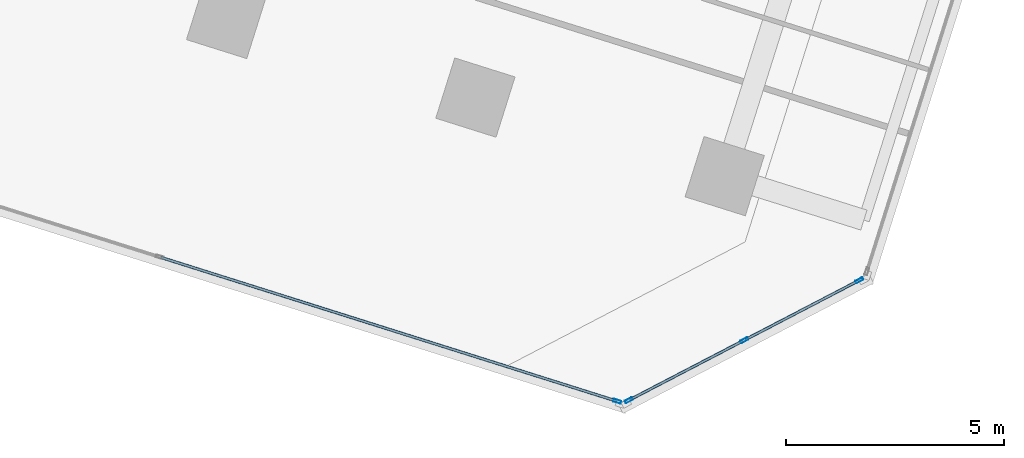
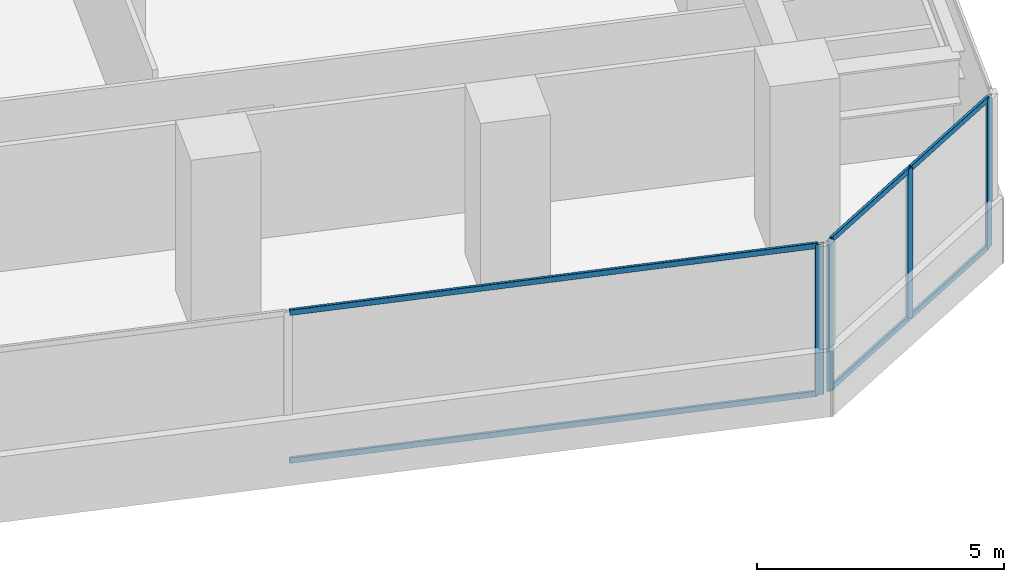
# One storey, part 8 of 28: 10 members, 2 elements without a shape of their own.
"""IFC4 building model written with IfcOpenShell, lengths in metres."""

from ifc_helpers import new_model, si_unit, direction, frame, origin, origin_2d, place, context, subcontext, project, spatial, hollow_rectangle, extrude, source, transform, mapped, material, material_profile, profile_set, type_object, element, aggregate, save


model = new_model("IFC4")

# Units and contexts
model_context = context("Model", 3, precision=1e-05, world=origin(), true_north=direction((0.0, 1.0)))
body_context = subcontext(model_context, "Body", "Model", "MODEL_VIEW")
ifc_project = project(units=[si_unit("LENGTHUNIT", "METRE"), si_unit("AREAUNIT", "SQUARE_METRE"), si_unit("VOLUMEUNIT", "CUBIC_METRE"), si_unit("PLANEANGLEUNIT", "RADIAN"), si_unit("MASSUNIT", "GRAM", prefix="KILO")], contexts=[model_context])

# Site, building, storey
site_placement = place(None, origin())
site = spatial("IfcSite", under=ifc_project, at=site_placement, CompositionType="ELEMENT")
building_placement = place(site_placement, origin())
building = spatial("IfcBuilding", under=site, at=building_placement, Name="Torre Montelarca", CompositionType="ELEMENT")
storey_placement = place(building_placement, frame((0.0, 0.0, 112.60009765625)))
storey = spatial("IfcBuildingStorey", under=building, at=storey_placement, Name="L25", CompositionType="ELEMENT", Elevation=112.60009765625)

# Curtain wall, members
ifc_material_1 = material(Name="Insulated low-E laminated glass", Category="glass")
curtain_wall_type = type_object("IfcCurtainWallType", Name="CW-SYS-Z1", PredefinedType="USERDEFINED", material=ifc_material_1)
curtain_wall_1_placement = place(storey_placement, origin())
curtain_wall_1 = element("IfcCurtainWall", 1, at=curtain_wall_1_placement, inside=storey, type_object=curtain_wall_type, Name="L25 Curtain Wall Run CW-T3-L25-E04-B1", ObjectType="UNITISED GLAZING", PredefinedType="USERDEFINED")
ifc_material_2 = material(Name="Anodised aluminium AA 6063-T6", Category="aluminium")
ifc_material_profile_1 = material_profile(ifc_material_2, hollow_rectangle(XDim=0.06494140625, YDim=0.139892578125, WallThickness=0.00390625, InnerFilletRadius=0.00390625, OuterFilletRadius=0.008056640625, at=origin_2d()), Name="ALU65X140X4", Category="aluminium")
ifc_profile_set_1 = profile_set([ifc_material_profile_1], Name="Anodised aluminium AA 6063-T6")
member_type_1 = type_object("IfcMemberType", Name="CWT-ALU140", PredefinedType="USERDEFINED", material=ifc_profile_set_1)
shared_shape_1 = source(origin(), body_context, "Body", "SweptSolid", [
    extrude(hollow_rectangle(XDim=0.06494140625, YDim=0.139892578125, WallThickness=0.00390625, InnerFilletRadius=0.00390625, OuterFilletRadius=0.008056640625, at=origin_2d()), origin(), (0.0, 0.0, 1.0), 10.948486328125),
])
member_1_placement = place(storey_placement, frame((42.873291015625, 10.927734375, 0.032470703125), z_axis=(0.953717039651, -0.300705517541, 0.0), x_axis=(0.300705517541, 0.953717039651, 0.0)))
member_1 = element("IfcMember", 2, at=member_1_placement, type_object=member_type_1, Name="CW transom 2.1", ObjectType="TRANSOM", PredefinedType="USERDEFINED", context=body_context, shape_type="MappedRepresentation", body=[
    mapped(shared_shape_1, transform((0.0, 0.0, 0.0), scale=1.0)),
])
member_2_placement = place(storey_placement, frame((42.873291015625, 10.927734375, 3.6875), z_axis=(0.953717039651, -0.300705517541, 0.0), x_axis=(0.300705517541, 0.953717039651, 0.0)))
member_2 = element("IfcMember", 3, at=member_2_placement, type_object=member_type_1, Name="CW transom 2.2", ObjectType="TRANSOM", PredefinedType="USERDEFINED", context=body_context, shape_type="MappedRepresentation", body=[
    mapped(shared_shape_1, transform((0.0, 0.0, 0.0), scale=1.0)),
])

curtain_wall_2_placement = place(storey_placement, origin())
curtain_wall_2 = element("IfcCurtainWall", 4, at=curtain_wall_2_placement, inside=storey, type_object=curtain_wall_type, Name="L25 Curtain Wall Run CW-T3-L25-E05-B1", ObjectType="UNITISED GLAZING", PredefinedType="USERDEFINED")
shared_shape_2 = source(origin(), body_context, "Body", "SweptSolid", [
    extrude(hollow_rectangle(XDim=0.06494140625, YDim=0.139892578125, WallThickness=0.00390625, InnerFilletRadius=0.00390625, OuterFilletRadius=0.008056640625, at=origin_2d()), origin(), (0.0, 0.0, 1.0), 2.918701171875),
])
member_3_placement = place(storey_placement, frame((53.640869140625, 7.663818359375, 0.032470703125), z_axis=(0.887014019534, 0.461742492251, 0.0), x_axis=(-0.461742492251, 0.887014019534, 0.0)))
member_3 = element("IfcMember", 5, at=member_3_placement, type_object=member_type_1, Name="CW transom 1.1", ObjectType="TRANSOM", PredefinedType="USERDEFINED", context=body_context, shape_type="MappedRepresentation", body=[
    mapped(shared_shape_2, transform((0.0, 0.0, 0.0), scale=1.0)),
])
member_4_placement = place(storey_placement, frame((53.640869140625, 7.663818359375, 3.6875), z_axis=(0.887014019534, 0.461742492251, 0.0), x_axis=(-0.461742492251, 0.887014019534, 0.0)))
member_4 = element("IfcMember", 6, at=member_4_placement, type_object=member_type_1, Name="CW transom 1.2", ObjectType="TRANSOM", PredefinedType="USERDEFINED", context=body_context, shape_type="MappedRepresentation", body=[
    mapped(shared_shape_2, transform((0.0, 0.0, 0.0), scale=1.0)),
])
member_5_placement = place(storey_placement, frame((56.287353515625, 9.04150390625, 0.032470703125), z_axis=(0.887014019534, 0.461742492251, 0.0), x_axis=(-0.461742492251, 0.887014019534, 0.0)))
member_5 = element("IfcMember", 7, at=member_5_placement, type_object=member_type_1, Name="CW transom 2.1", ObjectType="TRANSOM", PredefinedType="USERDEFINED", context=body_context, shape_type="MappedRepresentation", body=[
    mapped(shared_shape_2, transform((0.0, 0.0, 0.0), scale=1.0)),
])
member_6_placement = place(storey_placement, frame((56.287353515625, 9.04150390625, 3.6875), z_axis=(0.887014019534, 0.461742492251, 0.0), x_axis=(-0.461742492251, 0.887014019534, 0.0)))
member_6 = element("IfcMember", 8, at=member_6_placement, type_object=member_type_1, Name="CW transom 2.2", ObjectType="TRANSOM", PredefinedType="USERDEFINED", context=body_context, shape_type="MappedRepresentation", body=[
    mapped(shared_shape_2, transform((0.0, 0.0, 0.0), scale=1.0)),
])

# Member
ifc_material_profile_2 = material_profile(ifc_material_2, hollow_rectangle(XDim=0.06494140625, YDim=0.179931640625, WallThickness=0.00390625, InnerFilletRadius=0.00390625, OuterFilletRadius=0.008056640625, at=origin_2d()), Name="ALU65X180X4", Category="aluminium")
ifc_profile_set_2 = profile_set([ifc_material_profile_2], Name="Anodised aluminium AA 6063-T6")
member_type_2 = type_object("IfcMemberType", Name="CWM-ALU180", PredefinedType="MULLION", material=ifc_profile_set_2)
shared_shape_3 = source(origin(), body_context, "Body", "SweptSolid", [
    extrude(hollow_rectangle(XDim=0.06494140625, YDim=0.179931640625, WallThickness=0.00390625, InnerFilletRadius=0.00390625, OuterFilletRadius=0.008056640625, at=origin_2d()), origin(), (0.0, 0.0, 1.0), 3.719970703125),
])
member_7_placement = place(storey_placement, frame((53.345947265625, 7.625732421875, 0.0), z_axis=(0.0, 0.0, 1.0), x_axis=(0.300700885116, 0.953718500235, 0.0)))
member_7 = element("IfcMember", 9, at=member_7_placement, type_object=member_type_2, Name="CW mullion 3", PredefinedType="MULLION", context=body_context, shape_type="MappedRepresentation", body=[
    mapped(shared_shape_3, transform((0.0, 0.0, 0.0), scale=1.0)),
])

aggregate(curtain_wall_1, [member_7, member_1, member_2])

member_8_placement = place(storey_placement, frame((53.61181640625, 7.64892578125, 0.0), z_axis=(0.0, 0.0, 1.0), x_axis=(-0.461729026109, 0.887021029316, 0.0)))
member_8 = element("IfcMember", 10, at=member_8_placement, type_object=member_type_2, Name="CW mullion 1", PredefinedType="MULLION", context=body_context, shape_type="MappedRepresentation", body=[
    mapped(shared_shape_3, transform((0.0, 0.0, 0.0), scale=1.0)),
])

member_9_placement = place(storey_placement, frame((56.258544921875, 9.026611328125, 0.0), z_axis=(0.0, 0.0, 1.0), x_axis=(-0.461729026109, 0.887021029316, 0.0)))
member_9 = element("IfcMember", 11, at=member_9_placement, type_object=member_type_2, Name="CW mullion 2", PredefinedType="MULLION", context=body_context, shape_type="MappedRepresentation", body=[
    mapped(shared_shape_3, transform((0.0, 0.0, 0.0), scale=1.0)),
])

member_10_placement = place(storey_placement, frame((58.905029296875, 10.404296875, 0.0), z_axis=(0.0, 0.0, 1.0), x_axis=(-0.461729026109, 0.887021029316, 0.0)))
member_10 = element("IfcMember", 12, at=member_10_placement, type_object=member_type_2, Name="CW mullion 3", PredefinedType="MULLION", context=body_context, shape_type="MappedRepresentation", body=[
    mapped(shared_shape_3, transform((0.0, 0.0, 0.0), scale=1.0)),
])

aggregate(curtain_wall_2, [member_8, member_9, member_10, member_3, member_4, member_5, member_6])

save(model, "model.ifc")
